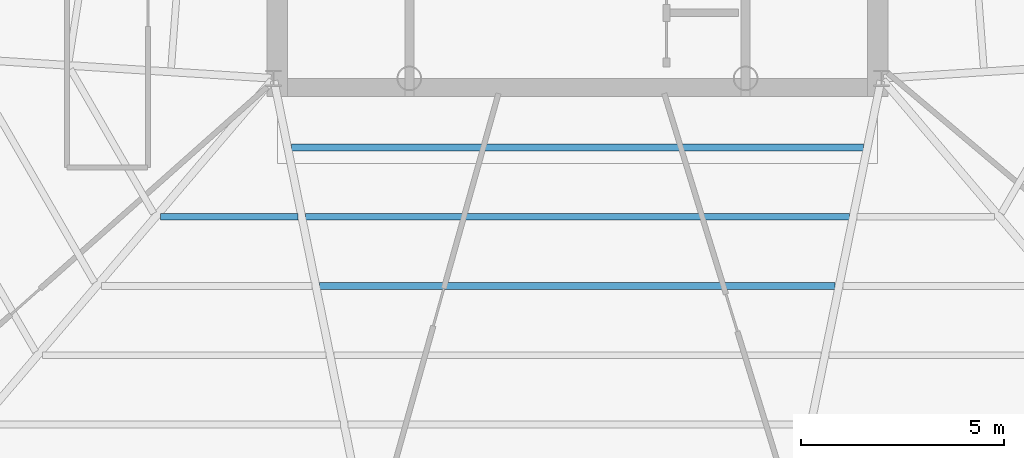
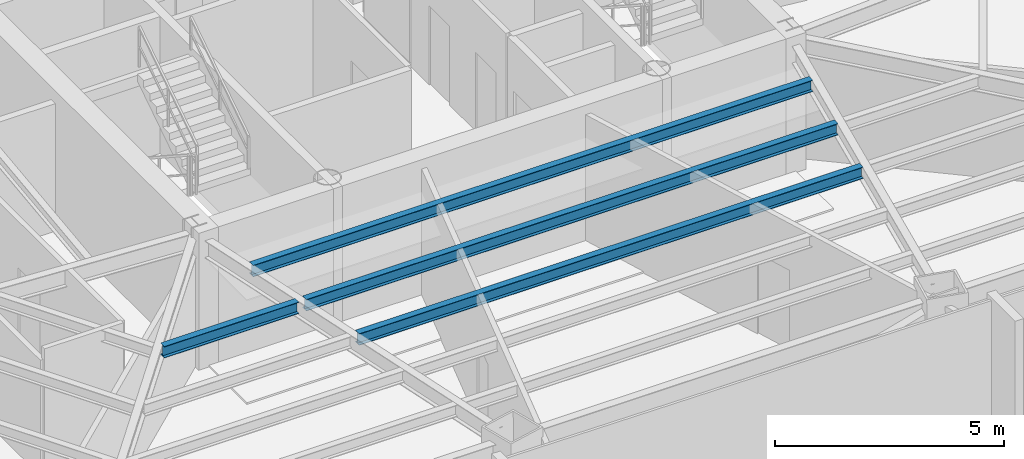
# One storey, part 11 of 39: 4 beams.
"""IFC4 building model written with IfcOpenShell, lengths in metres."""

import ifcopenshell
import ifcopenshell.guid

model = None  # the IFC model being written
_history = None  # IfcOwnerHistory: only IFC2X3 demands one
_inside = {}  # id of a spatial element -> (the spatial element, [elements in it])
_under = {}  # id of a project, library or spatial element -> (it, [spatial elements below it])
_declared = {}  # id of a project -> (the project, [libraries it declares])
_typed = {}  # id of a type object -> (the type object, [elements of that type])
_made_of = {}  # id of a material, layer set ... -> (it, [elements and type objects made of it])


def new_model(schema):
    """Start an empty IFC model of exactly this schema.

    Asked for "IFC4X3", IfcOpenShell would pick the latest addendum, in which some entities
    have other attributes; the version numbers below select the first issue.
    IFC2X3 requires an IfcOwnerHistory on every rooted entity: one is made here for all.
    """
    global model, _history
    if schema == "IFC4X3":
        model = ifcopenshell.file(schema_version=(4, 3, 0, 0))
    else:
        model = ifcopenshell.file(schema=schema)
    _inside.clear()
    _under.clear()
    _declared.clear()
    _typed.clear()
    _made_of.clear()
    _history = None
    if model.schema == "IFC2X3":
        org = make("IfcOrganization", Name="unknown")
        user = make(
            "IfcPersonAndOrganization",
            ThePerson=make("IfcPerson", FamilyName="unknown"),
            TheOrganization=org,
        )
        app = make(
            "IfcApplication",
            ApplicationDeveloper=org,
            Version="unknown",
            ApplicationFullName="unknown",
            ApplicationIdentifier="unknown",
        )
        _history = make(
            "IfcOwnerHistory",
            OwningUser=user,
            OwningApplication=app,
            ChangeAction="ADDED",
            CreationDate=0,
        )
    return model


def make(cls, **values):
    """One entity of the class cls with the attributes given. An attribute that is None is left unset."""
    return model.create_entity(
        cls, **{name: value for name, value in values.items() if value is not None}
    )


def rooted(cls, **values):
    """An entity with a GlobalId (a new one), such as an element, a storey or a relation."""
    return make(cls, GlobalId=ifcopenshell.guid.new(), OwnerHistory=_history, **values)


def si_unit(unit_type, name, prefix=None):
    """IfcSIUnit, for example si_unit("LENGTHUNIT", "METRE", prefix="MILLI")."""
    return make("IfcSIUnit", UnitType=unit_type, Prefix=prefix, Name=name)


def assignment(units):
    """IfcUnitAssignment: the units of a project."""
    return None if units is None else make("IfcUnitAssignment", Units=units)


def point(xyz):
    """IfcCartesianPoint."""
    return None if xyz is None else make("IfcCartesianPoint", Coordinates=xyz)


def direction(xyz):
    """IfcDirection."""
    return None if xyz is None else make("IfcDirection", DirectionRatios=xyz)


def frame(location, z_axis=None, x_axis=None):
    """IfcAxis2Placement3D, a coordinate frame: its origin and axes. An axis left out is left unset."""
    return make(
        "IfcAxis2Placement3D",
        Location=point(location),
        Axis=direction(z_axis),
        RefDirection=direction(x_axis),
    )


def frame_2d(location, x_axis=None):
    """IfcAxis2Placement2D, a coordinate frame in the plane: its origin and x axis."""
    return make(
        "IfcAxis2Placement2D", Location=point(location), RefDirection=direction(x_axis)
    )


def origin():
    """The frame at (0, 0, 0) with its axes left unset."""
    return frame((0.0, 0.0, 0.0))


def origin_2d():
    """The frame at (0, 0) in the plane with its x axis left unset."""
    return frame_2d((0.0, 0.0))


def place(relative_to, where):
    """IfcLocalPlacement: puts the frame where relative to a parent placement (None: the world)."""
    return make(
        "IfcLocalPlacement", PlacementRelTo=relative_to, RelativePlacement=where
    )


def context(
    kind, dimensions, precision=None, world=None, true_north=None, identifier=None
):
    """IfcGeometricRepresentationContext, for example the 3D "Model" context."""
    return make(
        "IfcGeometricRepresentationContext",
        ContextIdentifier=identifier,
        ContextType=kind,
        CoordinateSpaceDimension=dimensions,
        Precision=precision,
        WorldCoordinateSystem=world,
        TrueNorth=true_north,
    )


def subcontext(parent, identifier, kind, view, scale=None):
    """IfcGeometricRepresentationSubContext, for example "Body" below "Model"."""
    return make(
        "IfcGeometricRepresentationSubContext",
        ContextIdentifier=identifier,
        ContextType=kind,
        ParentContext=parent,
        TargetScale=scale,
        TargetView=view,
    )


def project(units=None, contexts=None):
    """IfcProject with its units and contexts."""
    return rooted(
        "IfcProject",
        Name="project",
        RepresentationContexts=contexts,
        UnitsInContext=assignment(units),
    )


def spatial(cls, under=None, at=None, **own):
    """A site, building, storey or space (cls), placed at a placement, below another one or the project."""
    s = rooted(cls, ObjectPlacement=at, **own)
    if under is not None:
        _under.setdefault(under.id(), (under, []))[1].append(s)
    return s


def profile(cls, at=None, kind="AREA", **sizes):
    """A parametric profile (cls). Its sizes go by their IFC names, for example OverallWidth=200.0."""
    return make(cls, ProfileType=kind, Position=at, **sizes)


def i_section(**sizes):
    """IfcIShapeProfileDef."""
    return profile("IfcIShapeProfileDef", **sizes)


def extrude(swept, where, along, depth):
    """IfcExtrudedAreaSolid: the profile swept, set in the frame where, extruded along a direction by depth."""
    return make(
        "IfcExtrudedAreaSolid",
        SweptArea=swept,
        Position=where,
        ExtrudedDirection=direction(along),
        Depth=depth,
    )


def shape(context_of_items, identifier, shape_type, items):
    """IfcShapeRepresentation: the items that make up one representation, for example the "Body"."""
    return make(
        "IfcShapeRepresentation",
        ContextOfItems=context_of_items,
        RepresentationIdentifier=identifier,
        RepresentationType=shape_type,
        Items=items,
    )


def source(mapping_origin, context_of_items, identifier, shape_type, items):
    """IfcRepresentationMap: a shape defined once, which mapped items show again and again."""
    return make(
        "IfcRepresentationMap",
        MappingOrigin=mapping_origin,
        MappedRepresentation=shape(context_of_items, identifier, shape_type, items),
    )


def transform(
    local_origin,
    x_axis=None,
    y_axis=None,
    z_axis=None,
    scale=None,
    scale2=None,
    scale3=None,
    uniform=True,
):
    """IfcCartesianTransformationOperator3D, or its non-uniform kind. x_axis, y_axis, z_axis: its Axis1, 2, 3."""
    if uniform:
        return make(
            "IfcCartesianTransformationOperator3D",
            Axis1=direction(x_axis),
            Axis2=direction(y_axis),
            LocalOrigin=point(local_origin),
            Scale=scale,
            Axis3=direction(z_axis),
        )
    return make(
        "IfcCartesianTransformationOperator3DnonUniform",
        Axis1=direction(x_axis),
        Axis2=direction(y_axis),
        LocalOrigin=point(local_origin),
        Scale=scale,
        Axis3=direction(z_axis),
        Scale2=scale2,
        Scale3=scale3,
    )


def mapped(mapping_source, mapping_target):
    """IfcMappedItem: shows the shape of a source again, moved by a transform."""
    return make(
        "IfcMappedItem", MappingSource=mapping_source, MappingTarget=mapping_target
    )


def material(Name=None, Category=None):
    """IfcMaterial."""
    return make("IfcMaterial", Name=Name, Category=Category)


def material_profile(
    of_material, cross_section, Name=None, Category=None, Priority=None
):
    """IfcMaterialProfile: a cross section and its material."""
    return make(
        "IfcMaterialProfile",
        Name=Name,
        Material=of_material,
        Profile=cross_section,
        Priority=Priority,
        Category=Category,
    )


def profile_set(profiles, Name=None, composite=None):
    """IfcMaterialProfileSet."""
    return make(
        "IfcMaterialProfileSet",
        Name=Name,
        MaterialProfiles=profiles,
        CompositeProfile=composite,
    )


def made_of(thing, what):
    """Note that an element or type object is made of a material, layer set ...; save() writes the relation."""
    if what is not None:
        _made_of.setdefault(what.id(), (what, []))[1].append(thing)
    return thing


def type_object(cls, material=None, **own):
    """A type object (cls), such as IfcWallType, which elements share."""
    return made_of(rooted(cls, **own), material)


def type_shapes(of_type, sources):
    """Give a type object the sources (RepresentationMaps) that its elements show as mapped items."""
    of_type.RepresentationMaps = sources


def element(
    cls,
    number,
    at=None,
    inside=None,
    cuts=None,
    type_object=None,
    material=None,
    context=None,
    identifier="Body",
    shape_type=None,
    held_by="IfcProductDefinitionShape",
    body=None,
    shapes=None,
    **own,
):
    """One element of the class cls, such as IfcWall. Its Tag is "e" and its number.

    at: its placement. inside: the storey or other place that contains it. cuts: it is an
    opening in that element (IfcRelVoidsElement). A single representation is given by context,
    identifier, shape_type and body (its items); several are given by shapes. held_by: the class
    of the entity that holds the representations. save() writes the other relations.
    """
    e = rooted(cls, Tag="e%d" % number, ObjectPlacement=at, **own)
    if body is not None:
        shapes = [shape(context, identifier, shape_type, body)]
    if shapes is not None:
        e.Representation = make(held_by, Representations=shapes)
    if inside is not None:
        _inside.setdefault(inside.id(), (inside, []))[1].append(e)
    if cuts is not None:
        rooted(
            "IfcRelVoidsElement", RelatingBuildingElement=cuts, RelatedOpeningElement=e
        )
    if type_object is not None:
        _typed.setdefault(type_object.id(), (type_object, []))[1].append(e)
    return made_of(e, material)


def aggregate(whole, parts):
    """IfcRelAggregates: a whole, such as a stair, and the parts it consists of."""
    return rooted("IfcRelAggregates", RelatingObject=whole, RelatedObjects=parts)


def save(model, path):
    """Write the relations noted so far, then the file.

    IfcRelAggregates (storeys below a building ...), IfcRelContainedInSpatialStructure (elements
    in a storey), IfcRelDefinesByType, IfcRelAssociatesMaterial and IfcRelDeclares: one each for
    every whole, place, type object, material and project.
    """
    for whole, parts in _under.values():
        aggregate(whole, parts)
    for where, things in _inside.values():
        rooted(
            "IfcRelContainedInSpatialStructure",
            RelatedElements=things,
            RelatingStructure=where,
        )
    for kind, things in _typed.values():
        rooted("IfcRelDefinesByType", RelatedObjects=things, RelatingType=kind)
    for what, things in _made_of.values():
        rooted("IfcRelAssociatesMaterial", RelatedObjects=things, RelatingMaterial=what)
    for by, libraries in _declared.values():
        rooted("IfcRelDeclares", RelatingContext=by, RelatedDefinitions=libraries)
    model.write(path)


model = new_model("IFC4")

# Units and contexts
model_context = context("Model", 3, precision=1e-05, world=origin(), true_north=direction((0.0, 1.0)))
body_context = subcontext(model_context, "Body", "Model", "MODEL_VIEW")
ifc_project = project(units=[si_unit("LENGTHUNIT", "METRE"), si_unit("AREAUNIT", "SQUARE_METRE"), si_unit("VOLUMEUNIT", "CUBIC_METRE"), si_unit("PLANEANGLEUNIT", "RADIAN"), si_unit("MASSUNIT", "GRAM", prefix="KILO")], contexts=[model_context])

# Site, building, storey
site_placement = place(None, origin())
site = spatial("IfcSite", under=ifc_project, at=site_placement, CompositionType="ELEMENT")
building_placement = place(site_placement, origin())
building = spatial("IfcBuilding", under=site, at=building_placement, Name="Caelisora Broadcast Tower", CompositionType="ELEMENT")
storey_placement = place(building_placement, frame((0.0, 0.0, 142.75)))
storey = spatial("IfcBuildingStorey", under=building, at=storey_placement, Name="L37", CompositionType="ELEMENT", Elevation=142.75)

# Beams
ifc_material = material(Name="Steel Grade 350 (AS/NZS 3679.1)", Category="steel")
ifc_material_profile = material_profile(ifc_material, i_section(OverallWidth=0.166015625, OverallDepth=0.30712890625, WebThickness=0.006591796875, FlangeThickness=0.01171875, at=origin_2d()), Name="Steel Grade 350 (AS/NZS 3679.1)")
ifc_profile_set = profile_set([ifc_material_profile], Name="Steel Grade 350 (AS/NZS 3679.1)")
beam_type = type_object("IfcBeamType", Name="SB03", PredefinedType="JOIST", material=ifc_profile_set)
shared_shape_1 = source(origin(), body_context, "Body", "SweptSolid", [
    extrude(i_section(OverallWidth=0.166015625, OverallDepth=0.30712890625, WebThickness=0.006591796875, FlangeThickness=0.01171875, at=origin_2d()), origin(), (0.0, 0.0, 1.0), 3.39013671875),
])
beam_1_placement = place(storey_placement, frame((27.711669921875, 13.984375, 3.246337890625), z_axis=(1.0, 0.0, 0.0), x_axis=(0.0, 1.0, 0.0)))
element("IfcBeam", 1, at=beam_1_placement, inside=storey, type_object=beam_type, Name="L37 beam SB03", PredefinedType="JOIST", context=body_context, shape_type="MappedRepresentation", body=[
    mapped(shared_shape_1, transform((0.0, 0.0, 0.0), scale=1.0)),
])
shared_shape_2 = source(origin(), body_context, "Body", "SweptSolid", [
    extrude(i_section(OverallWidth=0.166015625, OverallDepth=0.30712890625, WebThickness=0.006591796875, FlangeThickness=0.01171875, at=origin_2d()), origin(), (0.0, 0.0, 1.0), 14.11474609375),
])
beam_2_placement = place(storey_placement, frame((30.942626953125, 15.692138671875, 3.246337890625), z_axis=(1.0, 0.0, 0.0), x_axis=(0.0, 1.0, 0.0)))
element("IfcBeam", 2, at=beam_2_placement, inside=storey, type_object=beam_type, Name="L37 beam SB03", PredefinedType="JOIST", context=body_context, shape_type="MappedRepresentation", body=[
    mapped(shared_shape_2, transform((0.0, 0.0, 0.0), scale=1.0)),
])
shared_shape_3 = source(origin(), body_context, "Body", "SweptSolid", [
    extrude(i_section(OverallWidth=0.166015625, OverallDepth=0.30712890625, WebThickness=0.006591796875, FlangeThickness=0.01171875, at=origin_2d()), origin(), (0.0, 0.0, 1.0), 13.41796875),
])
beam_3_placement = place(storey_placement, frame((31.291015625, 13.984375, 3.246337890625), z_axis=(1.0, 0.0, 0.0), x_axis=(0.0, 1.0, 0.0)))
element("IfcBeam", 3, at=beam_3_placement, inside=storey, type_object=beam_type, Name="L37 beam SB03", PredefinedType="JOIST", context=body_context, shape_type="MappedRepresentation", body=[
    mapped(shared_shape_3, transform((0.0, 0.0, 0.0), scale=1.0)),
])
shared_shape_4 = source(origin(), body_context, "Body", "SweptSolid", [
    extrude(i_section(OverallWidth=0.166015625, OverallDepth=0.30712890625, WebThickness=0.006591796875, FlangeThickness=0.01171875, at=origin_2d()), origin(), (0.0, 0.0, 1.0), 12.7216796875),
])
type_shapes(beam_type, [shared_shape_1, shared_shape_2, shared_shape_3, shared_shape_4])
beam_4_placement = place(storey_placement, frame((31.63916015625, 12.276611328125, 3.246337890625), z_axis=(1.0, 0.0, 0.0), x_axis=(0.0, 1.0, 0.0)))
element("IfcBeam", 4, at=beam_4_placement, inside=storey, type_object=beam_type, Name="L37 beam SB03", PredefinedType="JOIST", context=body_context, shape_type="MappedRepresentation", body=[
    mapped(shared_shape_4, transform((0.0, 0.0, 0.0), scale=1.0)),
])

save(model, "model.ifc")
